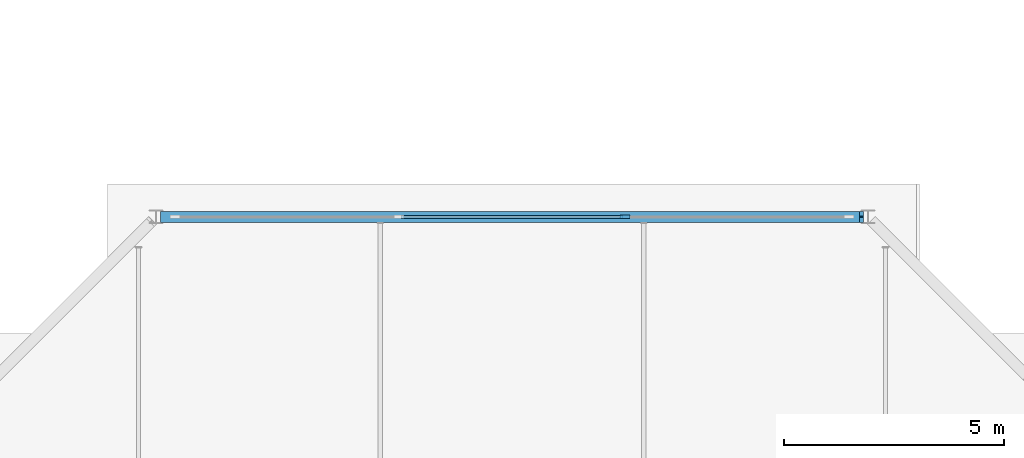
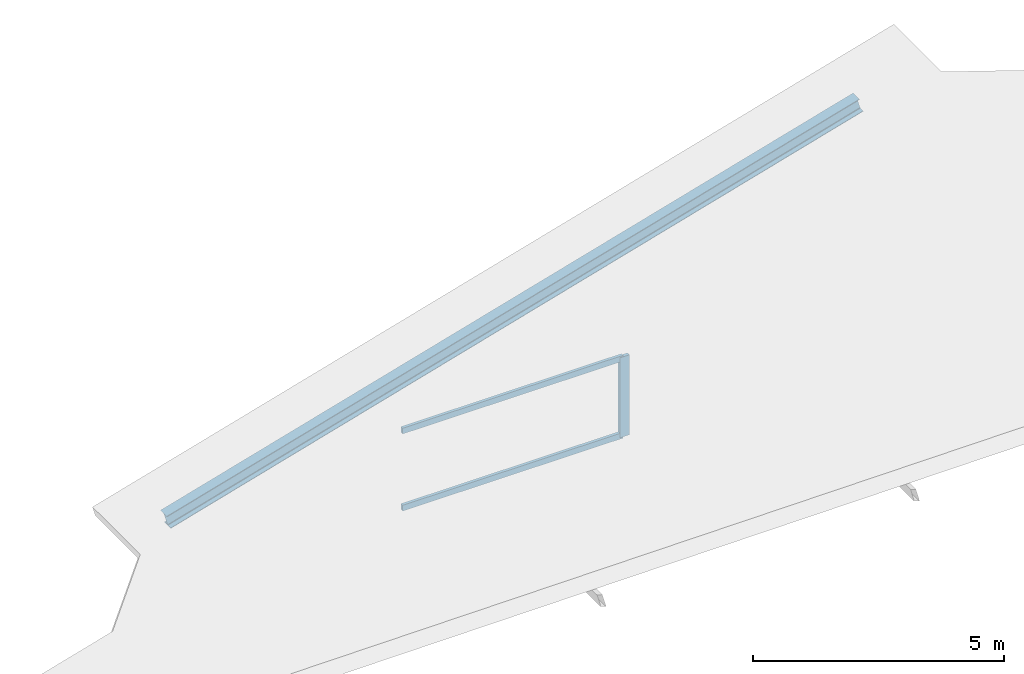
# One storey, part 13 of 28: 3 members, 1 beam, 1 element without a shape of its own.
"""IFC4 building model written with IfcOpenShell, lengths in metres."""

from ifc_helpers import new_model, si_unit, direction, frame, origin, origin_2d, place, context, subcontext, project, spatial, rectangle, i_section, extrude, source, transform, mapped, material, layer, layer_set, material_profile, profile_set, type_object, element, aggregate, save


model = new_model("IFC4")

# Units and contexts
model_context = context("Model", 3, precision=1e-05, world=origin(), true_north=direction((0.0, 1.0)))
body_context = subcontext(model_context, "Body", "Model", "MODEL_VIEW")
ifc_project = project(units=[si_unit("LENGTHUNIT", "METRE"), si_unit("AREAUNIT", "SQUARE_METRE"), si_unit("VOLUMEUNIT", "CUBIC_METRE"), si_unit("PLANEANGLEUNIT", "RADIAN"), si_unit("MASSUNIT", "GRAM", prefix="KILO"), si_unit("THERMODYNAMICTEMPERATUREUNIT", "KELVIN"), si_unit("POWERUNIT", "WATT")], contexts=[model_context])

# Site, building, storey
site_placement = place(None, origin())
site = spatial("IfcSite", under=ifc_project, at=site_placement, CompositionType="ELEMENT")
building_placement = place(site_placement, origin())
building = spatial("IfcBuilding", under=site, at=building_placement, Name="Qiaomeng Ring Towers", CompositionType="ELEMENT")
storey_placement = place(building_placement, frame((0.0, 0.0, 113.25)))
storey = spatial("IfcBuildingStorey", under=building, at=storey_placement, Name="L32", CompositionType="ELEMENT", Elevation=113.25)

# Beam
ifc_material_1 = material(Name="Steel Q355B", Category="steel")
ifc_material_profile_1 = material_profile(ifc_material_1, i_section(OverallWidth=0.25, OverallDepth=0.340087890625, WebThickness=0.009033203125, FlangeThickness=0.013916015625, FilletRadius=0.02001953125, at=origin_2d()), Name="HM 340x250x9x14")
ifc_profile_set_1 = profile_set([ifc_material_profile_1], Name="Steel Q355B")
beam_type = type_object("IfcBeamType", Name="STR-BM-HM340", PredefinedType="SPANDREL", material=ifc_profile_set_1)
shared_shape_1 = source(origin(), body_context, "Body", "SweptSolid", [
    extrude(i_section(OverallWidth=0.25, OverallDepth=0.340087890625, WebThickness=0.009033203125, FlangeThickness=0.013916015625, FilletRadius=0.02001953125, at=origin_2d()), origin(), (0.0, 0.0, 1.0), 16.540771484375),
])
beam_placement = place(storey_placement, frame((68.449951171875, 34.85009765625, 6.20263671875), z_axis=(-0.961260053355, 0.0, -0.27564308412), x_axis=(0.0, -1.0, 0.0)))
element("IfcBeam", 1, at=beam_placement, inside=storey, type_object=beam_type, Name="Companion Crown Cap Beam 5", PredefinedType="SPANDREL", context=body_context, shape_type="MappedRepresentation", body=[
    mapped(shared_shape_1, transform((0.0, 0.0, 0.0), x_axis=(1.0, 0.0, 0.0), y_axis=(0.0, 1.0, 0.0), z_axis=(0.0, 0.0, 1.0), scale=1.0)),
])

# Curtain wall, members
ifc_material_2 = material(Name="Fluorocarbon dark-grey aluminium", Category="aluminium")
ifc_layer = layer(ifc_material_2, 0.169921875, Name="Fluorocarbon dark-grey aluminium")
ifc_layer_set = layer_set([ifc_layer], Name="Fluorocarbon dark-grey aluminium")
curtain_wall_type = type_object("IfcCurtainWallType", Name="ARC-CW-6", PredefinedType="NOTDEFINED", material=ifc_layer_set)
curtain_wall_placement = place(storey_placement, origin())
curtain_wall = element("IfcCurtainWall", 2, at=curtain_wall_placement, inside=storey, type_object=curtain_wall_type, Name="L32 Curtain Wall CW6", PredefinedType="NOTDEFINED")
ifc_material_profile_2 = material_profile(ifc_material_2, rectangle(XDim=0.080078125, YDim=0.219970703125, at=origin_2d()), Name="ALU MULL 80x220")
ifc_profile_set_2 = profile_set([ifc_material_profile_2], Name="Fluorocarbon dark-grey aluminium")
member_type_1 = type_object("IfcMemberType", Name="ARC-CWM-180", PredefinedType="MULLION", material=ifc_profile_set_2)
shared_shape_2 = source(origin(), body_context, "Body", "SweptSolid", [
    extrude(rectangle(XDim=0.080078125, YDim=0.219970703125, at=origin_2d()), origin(), (0.0, 0.0, 1.0), 1.9404296875),
])
member_1_placement = place(storey_placement, frame((63.070068359375, 34.85009765625, 0.0), z_axis=(0.0, 0.0, 1.0), x_axis=(0.0, -1.0, 0.0)))
member_1 = element("IfcMember", 3, at=member_1_placement, type_object=member_type_1, Name="CW6 mullion 2", PredefinedType="MULLION", context=body_context, shape_type="MappedRepresentation", body=[
    mapped(shared_shape_2, transform((0.0, 0.0, 0.0), x_axis=(1.0, 0.0, 0.0), y_axis=(0.0, 1.0, 0.0), z_axis=(0.0, 0.0, 1.0), scale=1.0)),
])
ifc_material_profile_3 = material_profile(ifc_material_2, rectangle(XDim=0.070068359375, YDim=0.139892578125, at=origin_2d()), Name="ALU TRAN 70x140")
ifc_profile_set_3 = profile_set([ifc_material_profile_3], Name="Fluorocarbon dark-grey aluminium")
member_type_2 = type_object("IfcMemberType", Name="ARC-CWT-140", PredefinedType="USERDEFINED", material=ifc_profile_set_3)
shared_shape_3 = source(origin(), body_context, "Body", "SweptSolid", [
    extrude(rectangle(XDim=0.070068359375, YDim=0.139892578125, at=origin_2d()), origin(), (0.0, 0.0, 1.0), 5.06005859375),
])
member_2_placement = place(storey_placement, frame((63.030029296875, 34.85009765625, 0.034912109375), z_axis=(-1.0, 0.0, 0.0), x_axis=(0.0, -1.0, 0.0)))
member_2 = element("IfcMember", 4, at=member_2_placement, type_object=member_type_2, Name="CW6 transom 2.1", ObjectType="TRANSOM", PredefinedType="USERDEFINED", context=body_context, shape_type="MappedRepresentation", body=[
    mapped(shared_shape_3, transform((0.0, 0.0, 0.0), x_axis=(1.0, 0.0, 0.0), y_axis=(0.0, 1.0, 0.0), z_axis=(0.0, 0.0, 1.0), scale=1.0)),
])
member_3_placement = place(storey_placement, frame((63.030029296875, 34.85009765625, 1.905517578125), z_axis=(-1.0, 0.0, 0.0), x_axis=(0.0, -1.0, 0.0)))
member_3 = element("IfcMember", 5, at=member_3_placement, type_object=member_type_2, Name="CW6 transom 2.2", ObjectType="TRANSOM", PredefinedType="USERDEFINED", context=body_context, shape_type="MappedRepresentation", body=[
    mapped(shared_shape_3, transform((0.0, 0.0, 0.0), x_axis=(1.0, 0.0, 0.0), y_axis=(0.0, 1.0, 0.0), z_axis=(0.0, 0.0, 1.0), scale=1.0)),
])
aggregate(curtain_wall, [member_1, member_2, member_3])

save(model, "model.ifc")
